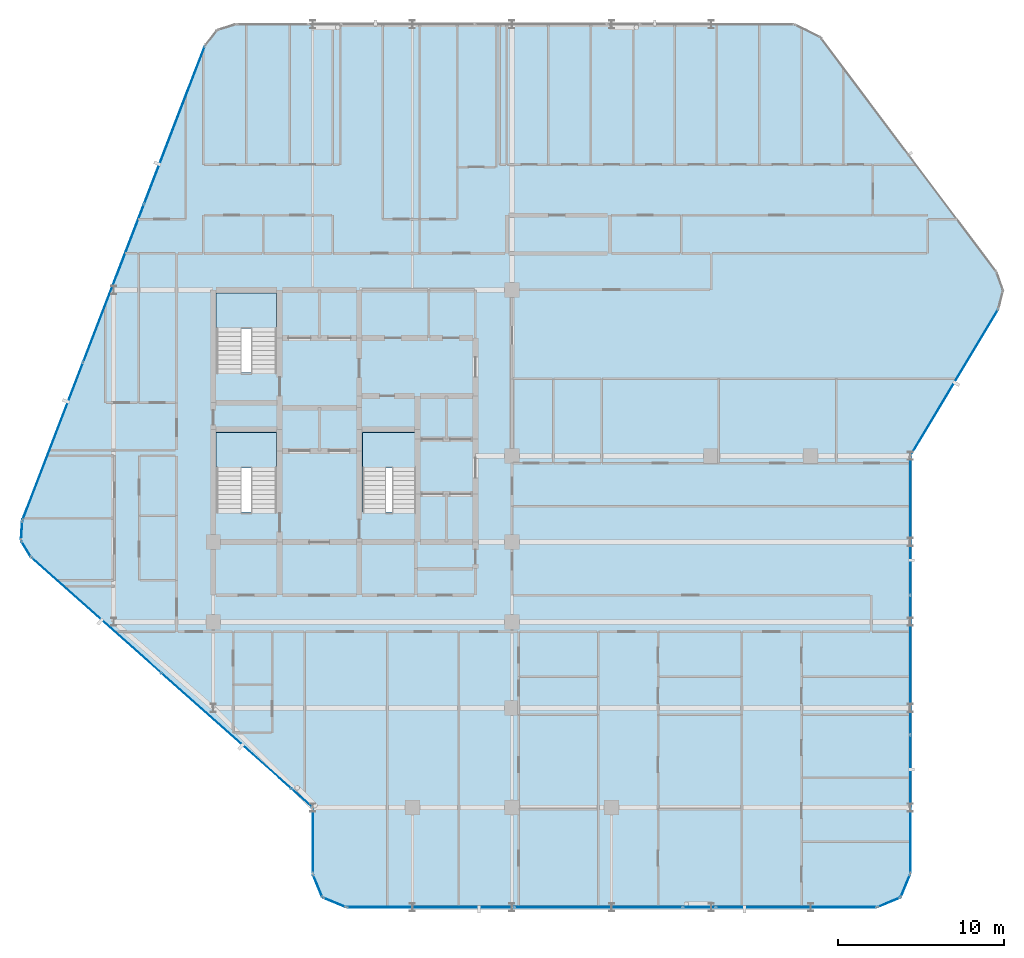
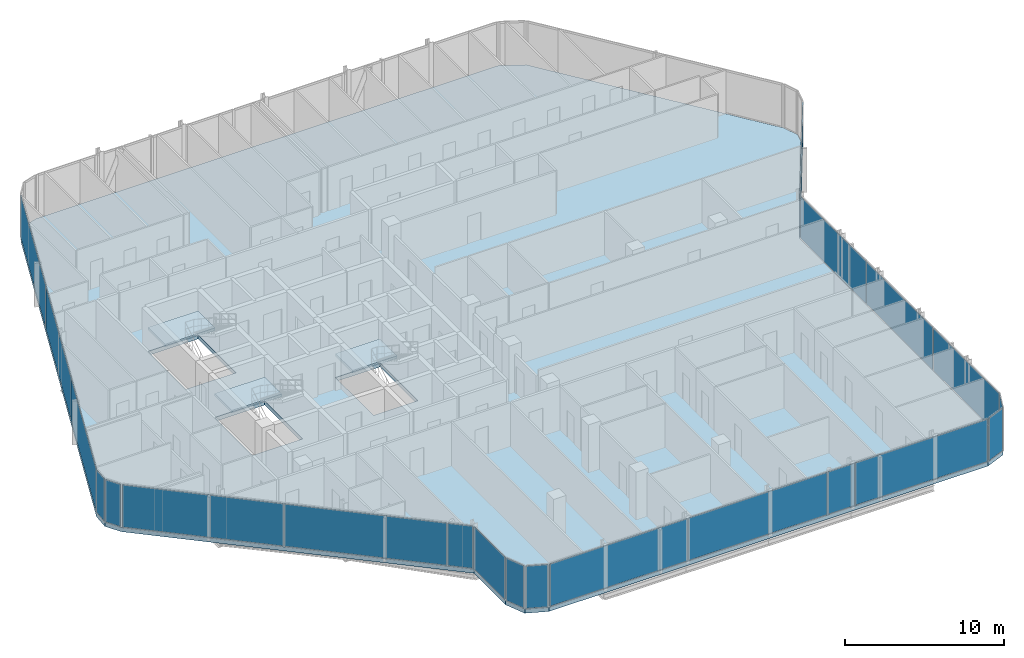
# One storey, part 23 of 31: 21 plates, 4 slabs, 18 elements without a shape of their own.
"""IFC4 building model written with IfcOpenShell, lengths in metres."""

from ifc_helpers import new_model, si_unit, direction, frame, origin, origin_2d, place, context, subcontext, project, spatial, polyline, rectangle, outline, extrude, material, layer, layer_set, type_object, element, aggregate, save


model = new_model("IFC4")

# Units and contexts
model_context = context("Model", 3, precision=1e-05, world=origin(), true_north=direction((0.0, 1.0)))
body_context = subcontext(model_context, "Body", "Model", "MODEL_VIEW")
ifc_project = project(units=[si_unit("LENGTHUNIT", "METRE"), si_unit("AREAUNIT", "SQUARE_METRE"), si_unit("VOLUMEUNIT", "CUBIC_METRE"), si_unit("PLANEANGLEUNIT", "RADIAN"), si_unit("MASSUNIT", "GRAM", prefix="KILO")], contexts=[model_context])

# Site, building, storey
site_placement = place(None, origin())
site = spatial("IfcSite", under=ifc_project, at=site_placement, CompositionType="ELEMENT")
building_placement = place(site_placement, origin())
building = spatial("IfcBuilding", under=site, at=building_placement, Name="Keshet Zoharim Tower", CompositionType="ELEMENT")
storey_placement = place(building_placement, frame((0.0, 0.0, 148.300048828125)))
storey = spatial("IfcBuildingStorey", under=building, at=storey_placement, Name="L36", CompositionType="ELEMENT", Elevation=148.300048828125)

# Curtain wall, plate
ifc_material_1 = material(Name="Aluminium 6063-T6", Category="aluminium")
ifc_layer_1 = layer(ifc_material_1, 0.159912109375)
ifc_layer_set_1 = layer_set([ifc_layer_1], Name="Aluminium 6063-T6")
curtain_wall_type = type_object("IfcCurtainWallType", Name="CW-SYS-03", PredefinedType="NOTDEFINED", material=ifc_layer_set_1)
curtain_wall_1_placement = place(storey_placement, origin())
curtain_wall_1 = element("IfcCurtainWall", 1, at=curtain_wall_1_placement, inside=storey, type_object=curtain_wall_type, Name="L36 Unitised Curtain Wall 01", PredefinedType="NOTDEFINED")
ifc_material_2 = material(Name="Insulated Low-E Clear Glass", Category="glass")
ifc_layer_2 = layer(ifc_material_2, 0.035888671875)
ifc_layer_set_2 = layer_set([ifc_layer_2], Name="Insulated Low-E Clear Glass")
plate_type_1 = type_object("IfcPlateType", Name="CWP-01", PredefinedType="CURTAIN_PANEL", material=ifc_layer_set_2)
plate_1_placement = place(storey_placement, frame((56.70703125, 1.992919921875, 0.06982421875), z_axis=(0.0, 0.0, 1.0), x_axis=(-0.382851849847, -0.92380975372, 0.0)))
plate_1 = element("IfcPlate", 2, at=plate_1_placement, type_object=plate_type_1, Name="CW-03 panel 1.1", PredefinedType="CURTAIN_PANEL", context=body_context, shape_type="SweptSolid", body=[
    extrude(rectangle(XDim=1.390625, YDim=0.035888671875, at=origin_2d()), origin(), (0.0, 0.0, 1.0), 3.2451171875),
])
aggregate(curtain_wall_1, [plate_1])

curtain_wall_2_placement = place(storey_placement, origin())
curtain_wall_2 = element("IfcCurtainWall", 3, at=curtain_wall_2_placement, inside=storey, type_object=curtain_wall_type, Name="L36 Unitised Curtain Wall 02", PredefinedType="NOTDEFINED")
plate_2_placement = place(storey_placement, frame((55.70703125, 0.992919921875, 0.06982421875), z_axis=(0.0, 0.0, 1.0), x_axis=(-0.92380975372, -0.382851849847, 0.0)))
plate_2 = element("IfcPlate", 4, at=plate_2_placement, type_object=plate_type_1, Name="CW-03 panel 1.1", PredefinedType="CURTAIN_PANEL", context=body_context, shape_type="SweptSolid", body=[
    extrude(rectangle(XDim=1.390625, YDim=0.035888671875, at=origin_2d()), origin(), (0.0, 0.0, 1.0), 3.2451171875),
])
aggregate(curtain_wall_2, [plate_2])

curtain_wall_3_placement = place(storey_placement, origin())
curtain_wall_3 = element("IfcCurtainWall", 5, at=curtain_wall_3_placement, inside=storey, type_object=curtain_wall_type, Name="L36 Unitised Curtain Wall 03", PredefinedType="NOTDEFINED")
plate_3_placement = place(storey_placement, frame((50.1240234375, 0.699951171875, 0.06982421875), z_axis=(0.0, 0.0, 1.0), x_axis=(-1.0, 0.0, 0.0)))
plate_3 = element("IfcPlate", 6, at=plate_3_placement, type_object=plate_type_1, Name="CW-03 panel 1.1", PredefinedType="CURTAIN_PANEL", context=body_context, shape_type="SweptSolid", body=[
    extrude(rectangle(XDim=9.61181640625, YDim=0.035888671875, at=origin_2d()), origin(), (0.0, 0.0, 1.0), 3.2451171875),
])
aggregate(curtain_wall_3, [plate_3])

# Curtain wall, plates
curtain_wall_4_placement = place(storey_placement, origin())
curtain_wall_4 = element("IfcCurtainWall", 7, at=curtain_wall_4_placement, inside=storey, type_object=curtain_wall_type, Name="L36 Unitised Curtain Wall 03 Part 3", PredefinedType="NOTDEFINED")
plate_4_placement = place(storey_placement, frame((38.20654296875, 0.699951171875, 0.06982421875), z_axis=(0.0, 0.0, 1.0), x_axis=(-1.0, 0.0, 0.0)))
plate_4 = element("IfcPlate", 8, at=plate_4_placement, type_object=plate_type_1, Name="CW-03 panel 1.1", PredefinedType="CURTAIN_PANEL", context=body_context, shape_type="SweptSolid", body=[
    extrude(rectangle(XDim=10.091064453125, YDim=0.035888671875, at=origin_2d()), origin(), (0.0, 0.0, 1.0), 3.2451171875),
])
plate_5_placement = place(storey_placement, frame((28.08056640625, 0.699951171875, 0.06982421875), z_axis=(0.0, 0.0, 1.0), x_axis=(-1.0, 0.0, 0.0)))
plate_5 = element("IfcPlate", 9, at=plate_5_placement, type_object=plate_type_1, Name="CW-03 panel 2.1", PredefinedType="CURTAIN_PANEL", context=body_context, shape_type="SweptSolid", body=[
    extrude(rectangle(XDim=10.02099609375, YDim=0.035888671875, at=origin_2d()), origin(), (0.0, 0.0, 1.0), 3.2451171875),
])
aggregate(curtain_wall_4, [plate_4, plate_5])

# Curtain wall, plate
curtain_wall_5_placement = place(storey_placement, origin())
curtain_wall_5 = element("IfcCurtainWall", 10, at=curtain_wall_5_placement, inside=storey, type_object=curtain_wall_type, Name="L36 Unitised Curtain Wall 04", PredefinedType="NOTDEFINED")
plate_6_placement = place(storey_placement, frame((22.29296875, 0.992919921875, 0.06982421875), z_axis=(0.0, 0.0, 1.0), x_axis=(-0.92380975372, 0.382851849847, 0.0)))
plate_6 = element("IfcPlate", 11, at=plate_6_placement, type_object=plate_type_1, Name="CW-03 panel 1.1", PredefinedType="CURTAIN_PANEL", context=body_context, shape_type="SweptSolid", body=[
    extrude(rectangle(XDim=1.390625, YDim=0.035888671875, at=origin_2d()), origin(), (0.0, 0.0, 1.0), 3.2451171875),
])
aggregate(curtain_wall_5, [plate_6])

curtain_wall_6_placement = place(storey_placement, origin())
curtain_wall_6 = element("IfcCurtainWall", 12, at=curtain_wall_6_placement, inside=storey, type_object=curtain_wall_type, Name="L36 Unitised Curtain Wall 05", PredefinedType="NOTDEFINED")
plate_7_placement = place(storey_placement, frame((21.29296875, 1.992919921875, 0.06982421875), z_axis=(0.0, 0.0, 1.0), x_axis=(-0.382851849847, 0.92380975372, 0.0)))
plate_7 = element("IfcPlate", 13, at=plate_7_placement, type_object=plate_type_1, Name="CW-03 panel 1.1", PredefinedType="CURTAIN_PANEL", context=body_context, shape_type="SweptSolid", body=[
    extrude(rectangle(XDim=1.390625, YDim=0.035888671875, at=origin_2d()), origin(), (0.0, 0.0, 1.0), 3.2451171875),
])
aggregate(curtain_wall_6, [plate_7])

curtain_wall_7_placement = place(storey_placement, origin())
curtain_wall_7 = element("IfcCurtainWall", 14, at=curtain_wall_7_placement, inside=storey, type_object=curtain_wall_type, Name="L36 Unitised Curtain Wall 06", PredefinedType="NOTDEFINED")
plate_8_placement = place(storey_placement, frame((21.0, 4.699951171875, 0.06982421875), z_axis=(0.0, 0.0, 1.0), x_axis=(0.0, 1.0, 0.0)))
plate_8 = element("IfcPlate", 15, at=plate_8_placement, type_object=plate_type_1, Name="CW-03 panel 1.1", PredefinedType="CURTAIN_PANEL", context=body_context, shape_type="SweptSolid", body=[
    extrude(rectangle(XDim=3.860107421875, YDim=0.035888671875, at=origin_2d()), origin(), (0.0, 0.0, 1.0), 3.2451171875),
])
aggregate(curtain_wall_7, [plate_8])

# Curtain wall, plates
curtain_wall_8_placement = place(storey_placement, origin())
curtain_wall_8 = element("IfcCurtainWall", 16, at=curtain_wall_8_placement, inside=storey, type_object=curtain_wall_type, Name="L36 Unitised Curtain Wall 07 Part 2", PredefinedType="NOTDEFINED")
plate_9_placement = place(storey_placement, frame((15.79296875, 11.328369140625, 0.06982421875), z_axis=(0.0, 0.0, 1.0), x_axis=(-0.747409582009, 0.664363542589, 0.0)))
plate_9 = element("IfcPlate", 17, at=plate_9_placement, type_object=plate_type_1, Name="CW-03 panel 1.1", PredefinedType="CURTAIN_PANEL", context=body_context, shape_type="SweptSolid", body=[
    extrude(rectangle(XDim=10.441162109375, YDim=0.035888671875, at=origin_2d()), origin(), (0.0, 0.0, 1.0), 3.2451171875),
])
plate_10_placement = place(storey_placement, frame((7.963134765625, 18.288330078125, 0.06982421875), z_axis=(0.0, 0.0, 1.0), x_axis=(-0.747409582009, 0.664363542589, 0.0)))
plate_10 = element("IfcPlate", 18, at=plate_10_placement, type_object=plate_type_1, Name="CW-03 panel 2.1", PredefinedType="CURTAIN_PANEL", context=body_context, shape_type="SweptSolid", body=[
    extrude(rectangle(XDim=10.37109375, YDim=0.035888671875, at=origin_2d()), origin(), (0.0, 0.0, 1.0), 3.2451171875),
])
aggregate(curtain_wall_8, [plate_9, plate_10])

# Curtain wall, plate
curtain_wall_9_placement = place(storey_placement, origin())
curtain_wall_9 = element("IfcCurtainWall", 19, at=curtain_wall_9_placement, inside=storey, type_object=curtain_wall_type, Name="L36 Unitised Curtain Wall 08", PredefinedType="NOTDEFINED")
plate_11_placement = place(storey_placement, frame((3.7275390625, 22.291015625, 0.06982421875), z_axis=(0.0, 0.0, 1.0), x_axis=(-0.515604947933, 0.856826433805, 0.0)))
plate_11 = element("IfcPlate", 20, at=plate_11_placement, type_object=plate_type_1, Name="CW-03 panel 1.1", PredefinedType="CURTAIN_PANEL", context=body_context, shape_type="SweptSolid", body=[
    extrude(rectangle(XDim=1.052734375, YDim=0.035888671875, at=origin_2d()), origin(), (0.0, 0.0, 1.0), 3.2451171875),
])
aggregate(curtain_wall_9, [plate_11])

curtain_wall_10_placement = place(storey_placement, origin())
curtain_wall_10 = element("IfcCurtainWall", 21, at=curtain_wall_10_placement, inside=storey, type_object=curtain_wall_type, Name="L36 Unitised Curtain Wall 09", PredefinedType="NOTDEFINED")
plate_12_placement = place(storey_placement, frame((3.45849609375, 23.3974609375, 0.06982421875), z_axis=(0.0, 0.0, 1.0), x_axis=(0.064516859374, 0.997916617186, 0.0)))
plate_12 = element("IfcPlate", 22, at=plate_12_placement, type_object=plate_type_1, Name="CW-03 panel 1.1", PredefinedType="CURTAIN_PANEL", context=body_context, shape_type="SweptSolid", body=[
    extrude(rectangle(XDim=1.053466796875, YDim=0.035888671875, at=origin_2d()), origin(), (0.0, 0.0, 1.0), 3.2451171875),
])
aggregate(curtain_wall_10, [plate_12])

# Curtain wall, plates
curtain_wall_11_placement = place(storey_placement, origin())
curtain_wall_11 = element("IfcCurtainWall", 23, at=curtain_wall_11_placement, inside=storey, type_object=curtain_wall_type, Name="L36 Unitised Curtain Wall 10", PredefinedType="NOTDEFINED")
plate_13_placement = place(storey_placement, frame((5.33837890625, 28.7802734375, 0.06982421875), z_axis=(0.0, 0.0, 1.0), x_axis=(0.358990003907, 0.933341404361, 0.0)))
plate_13 = element("IfcPlate", 24, at=plate_13_placement, type_object=plate_type_1, Name="CW-03 panel 1.1", PredefinedType="CURTAIN_PANEL", context=body_context, shape_type="SweptSolid", body=[
    extrude(rectangle(XDim=10.1181640625, YDim=0.035888671875, at=origin_2d()), origin(), (0.0, 0.0, 1.0), 3.2451171875),
])
plate_14_placement = place(storey_placement, frame((9.001953125, 38.305419921875, 0.06982421875), z_axis=(0.0, 0.0, 1.0), x_axis=(0.358990003907, 0.933341404361, 0.0)))
plate_14 = element("IfcPlate", 25, at=plate_14_placement, type_object=plate_type_1, Name="CW-03 panel 2.1", PredefinedType="CURTAIN_PANEL", context=body_context, shape_type="SweptSolid", body=[
    extrude(rectangle(XDim=10.153076171875, YDim=0.035888671875, at=origin_2d()), origin(), (0.0, 0.0, 1.0), 3.2451171875),
])
plate_15_placement = place(storey_placement, frame((12.665771484375, 47.830810546875, 0.06982421875), z_axis=(0.0, 0.0, 1.0), x_axis=(0.358990003907, 0.933341404361, 0.0)))
plate_15 = element("IfcPlate", 26, at=plate_15_placement, type_object=plate_type_1, Name="CW-03 panel 3.1", PredefinedType="CURTAIN_PANEL", context=body_context, shape_type="SweptSolid", body=[
    extrude(rectangle(XDim=10.1181640625, YDim=0.035888671875, at=origin_2d()), origin(), (0.0, 0.0, 1.0), 3.2451171875),
])
aggregate(curtain_wall_11, [plate_13, plate_14, plate_15])

# Curtain wall, plate
curtain_wall_12_placement = place(storey_placement, origin())
curtain_wall_12 = element("IfcCurtainWall", 27, at=curtain_wall_12_placement, inside=storey, type_object=curtain_wall_type, Name="L36 Unitised Curtain Wall 18", PredefinedType="NOTDEFINED")
plate_16_placement = place(storey_placement, frame((59.654052734375, 32.323486328125, 0.06982421875), z_axis=(0.0, 0.0, 1.0), x_axis=(-0.514481501576, -0.857501477862, 0.0)))
plate_16 = element("IfcPlate", 28, at=plate_16_placement, type_object=plate_type_1, Name="CW-03 panel 1.1", PredefinedType="CURTAIN_PANEL", context=body_context, shape_type="SweptSolid", body=[
    extrude(rectangle(XDim=10.17724609375, YDim=0.035888671875, at=origin_2d()), origin(), (0.0, 0.0, 1.0), 3.2451171875),
])
aggregate(curtain_wall_12, [plate_16])

# Curtain wall, plates
curtain_wall_13_placement = place(storey_placement, origin())
curtain_wall_13 = element("IfcCurtainWall", 29, at=curtain_wall_13_placement, inside=storey, type_object=curtain_wall_type, Name="L36 Unitised Curtain Wall 19", PredefinedType="NOTDEFINED")
ifc_layer_3 = layer(ifc_material_2, 0.031982421875)
ifc_layer_set_3 = layer_set([ifc_layer_3], Name="Insulated Low-E Clear Glass")
plate_type_2 = type_object("IfcPlateType", Name="CWP-02", PredefinedType="CURTAIN_PANEL", material=ifc_layer_set_3)
plate_17_placement = place(storey_placement, frame((57.0, 23.6826171875, 0.06982421875), z_axis=(0.0, 0.0, 1.0), x_axis=(0.0, -1.0, 0.0)))
plate_17 = element("IfcPlate", 30, at=plate_17_placement, type_object=plate_type_2, Name="CW-03 panel 1.1", PredefinedType="CURTAIN_PANEL", context=body_context, shape_type="SweptSolid", body=[
    extrude(rectangle(XDim=8.294921875, YDim=0.031982421875, at=origin_2d()), origin(), (0.0, 0.0, 1.0), 3.2451171875),
])
plate_18_placement = place(storey_placement, frame((57.0, 15.300048828125, 0.06982421875), z_axis=(0.0, 0.0, 1.0), x_axis=(0.0, -1.0, 0.0)))
plate_18 = element("IfcPlate", 31, at=plate_18_placement, type_object=plate_type_2, Name="CW-03 panel 2.1", PredefinedType="CURTAIN_PANEL", context=body_context, shape_type="SweptSolid", body=[
    extrude(rectangle(XDim=8.330078125, YDim=0.031982421875, at=origin_2d()), origin(), (0.0, 0.0, 1.0), 3.2451171875),
])
plate_19_placement = place(storey_placement, frame((57.0, 6.91748046875, 0.06982421875), z_axis=(0.0, 0.0, 1.0), x_axis=(0.0, -1.0, 0.0)))
plate_19 = element("IfcPlate", 32, at=plate_19_placement, type_object=plate_type_2, Name="CW-03 panel 3.1", PredefinedType="CURTAIN_PANEL", context=body_context, shape_type="SweptSolid", body=[
    extrude(rectangle(XDim=8.294921875, YDim=0.031982421875, at=origin_2d()), origin(), (0.0, 0.0, 1.0), 3.2451171875),
])
aggregate(curtain_wall_13, [plate_17, plate_18, plate_19])

# Curtain wall, plate
curtain_wall_14_placement = place(storey_placement, origin())
curtain_wall_14 = element("IfcCurtainWall", 33, at=curtain_wall_14_placement, inside=storey, type_object=curtain_wall_type, Name="L36 Unitised Curtain Wall 03 Part 2", PredefinedType="NOTDEFINED")
ifc_material_3 = material(Name="Insulated Aluminium Spandrel Panel", Category="aluminium")
ifc_layer_4 = layer(ifc_material_3, 0.035888671875)
ifc_layer_set_4 = layer_set([ifc_layer_4], Name="Insulated Aluminium Spandrel Panel")
plate_type_3 = type_object("IfcPlateType", Name="CWP-04", PredefinedType="CURTAIN_PANEL", material=ifc_layer_set_4)
plate_20_placement = place(storey_placement, frame((44.284912109375, 0.699951171875, 0.06982421875), z_axis=(0.0, 0.0, 1.0), x_axis=(-1.0, 0.0, 0.0)))
plate_20 = element("IfcPlate", 34, at=plate_20_placement, type_object=plate_type_3, Name="CW-03 spandrel panel 1.1", PredefinedType="CURTAIN_PANEL", context=body_context, shape_type="SweptSolid", body=[
    extrude(rectangle(XDim=1.92626953125, YDim=0.035888671875, at=origin_2d()), origin(), (0.0, 0.0, 1.0), 3.2451171875),
])
aggregate(curtain_wall_14, [plate_20])

curtain_wall_15_placement = place(storey_placement, origin())
curtain_wall_15 = element("IfcCurtainWall", 35, at=curtain_wall_15_placement, inside=storey, type_object=curtain_wall_type, Name="L36 Unitised Curtain Wall 07", PredefinedType="NOTDEFINED")
plate_21_placement = place(storey_placement, frame((20.347412109375, 7.280029296875, 0.06982421875), z_axis=(0.0, 0.0, 1.0), x_axis=(-0.747406159057, 0.664367393393, 0.0)))
plate_21 = element("IfcPlate", 36, at=plate_21_placement, type_object=plate_type_3, Name="CW-03 spandrel panel 1.1", PredefinedType="CURTAIN_PANEL", context=body_context, shape_type="SweptSolid", body=[
    extrude(rectangle(XDim=1.606201171875, YDim=0.035888671875, at=origin_2d()), origin(), (0.0, 0.0, 1.0), 3.2451171875),
])
aggregate(curtain_wall_15, [plate_21])

# Stair, slab
ifc_material_4 = material(Name="Concrete C50/60", Category="concrete")
stair_type = type_object("IfcStairType", Name="STR-EXIT-135", PredefinedType="HALF_TURN_STAIR", material=ifc_material_4)
stair_1_placement = place(storey_placement, origin())
stair_1 = element("IfcStair", 37, at=stair_1_placement, inside=storey, type_object=stair_type, Name="L36 Enclosed Exit Stair ST-01", PredefinedType="HALF_TURN_STAIR")
ifc_layer_5 = layer(ifc_material_4, 0.199951171875)
ifc_layer_set_5 = layer_set([ifc_layer_5], Name="Concrete C50/60")
slab_type_1 = type_object("IfcSlabType", Name="SLB-LND-200", PredefinedType="LANDING", material=ifc_layer_set_5)
slab_1_placement = place(storey_placement, frame((0.0, 0.0, 1.64990234375)))
slab_1 = element("IfcSlab", 38, at=slab_1_placement, type_object=slab_type_1, Name="ST-01 landing 1", PredefinedType="LANDING", context=body_context, shape_type="SweptSolid", body=[
    extrude(outline(polyline([(15.179931640625, 27.159912109375), (18.820068359375, 27.159912109375), (18.820068359375, 29.320068359375), (15.179931640625, 29.320068359375), (15.179931640625, 27.159912109375)])), origin(), (0.0, 0.0, 1.0), 0.199951171875),
])
aggregate(stair_1, [slab_1])

stair_2_placement = place(storey_placement, origin())
stair_2 = element("IfcStair", 39, at=stair_2_placement, inside=storey, type_object=stair_type, Name="L36 Enclosed Exit Stair ST-02", PredefinedType="HALF_TURN_STAIR")
slab_2_placement = place(storey_placement, frame((0.0, 0.0, 1.64990234375)))
slab_2 = element("IfcSlab", 40, at=slab_2_placement, type_object=slab_type_1, Name="ST-02 landing 1", PredefinedType="LANDING", context=body_context, shape_type="SweptSolid", body=[
    extrude(outline(polyline([(15.179931640625, 35.56005859375), (18.820068359375, 35.56005859375), (18.820068359375, 37.719970703125), (15.179931640625, 37.719970703125), (15.179931640625, 35.56005859375)])), origin(), (0.0, 0.0, 1.0), 0.199951171875),
])
aggregate(stair_2, [slab_2])

stair_3_placement = place(storey_placement, origin())
stair_3 = element("IfcStair", 41, at=stair_3_placement, inside=storey, type_object=stair_type, Name="L36 Enclosed Exit Stair ST-03", PredefinedType="HALF_TURN_STAIR")
slab_3_placement = place(storey_placement, frame((0.0, 0.0, 1.64990234375)))
slab_3 = element("IfcSlab", 42, at=slab_3_placement, type_object=slab_type_1, Name="ST-03 landing 1", PredefinedType="LANDING", context=body_context, shape_type="SweptSolid", body=[
    extrude(outline(polyline([(23.97998046875, 27.159912109375), (27.219970703125, 27.159912109375), (27.219970703125, 29.320068359375), (23.97998046875, 29.320068359375), (23.97998046875, 27.159912109375)])), origin(), (0.0, 0.0, 1.0), 0.199951171875),
])
aggregate(stair_3, [slab_3])

# Slab
ifc_layer_6 = layer(ifc_material_4, 0.31494140625)
ifc_layer_set_6 = layer_set([ifc_layer_6], Name="Concrete C50/60")
slab_type_2 = type_object("IfcSlabType", Name="SLB-LOW-260", PredefinedType="FLOOR", material=ifc_layer_set_6)
slab_4_placement = place(storey_placement, frame((0.0, 0.0, -0.31494140625)))
element("IfcSlab", 43, at=slab_4_placement, inside=storey, type_object=slab_type_2, Name="L36 Structural Floor Slab 1", PredefinedType="FLOOR", context=body_context, shape_type="SweptSolid", body=[
    extrude(outline(polyline([(57.0, 2.699951171875), (56.4140625, 1.285888671875), (55.0, 0.699951171875), (23.0, 0.699951171875), (21.5859375, 1.285888671875), (21.0, 2.699951171875), (21.0, 6.699951171875), (4.034912109375, 21.780029296875), (3.419921875, 22.802001953125), (3.4970703125, 23.992919921875), (14.507080078125, 52.617919921875), (15.240966796875, 53.549072265625), (16.3740234375, 53.89990234375), (50.0, 53.89990234375), (51.60009765625, 53.10009765625), (62.193115234375, 38.97607421875), (62.590087890625, 37.87890625), (62.30810546875, 36.7470703125), (57.0, 27.89990234375), (57.0, 2.699951171875)]), holes=[polyline([(15.179931640625, 24.52001953125), (18.820068359375, 24.52001953125), (18.820068359375, 29.320068359375), (15.179931640625, 29.320068359375), (15.179931640625, 24.52001953125)]), polyline([(15.179931640625, 32.919921875), (18.820068359375, 32.919921875), (18.820068359375, 37.719970703125), (15.179931640625, 37.719970703125), (15.179931640625, 32.919921875)]), polyline([(23.97998046875, 24.52001953125), (27.219970703125, 24.52001953125), (27.219970703125, 29.320068359375), (23.97998046875, 29.320068359375), (23.97998046875, 24.52001953125)])]), origin(), (0.0, 0.0, 1.0), 0.31494140625),
])

save(model, "model.ifc")
